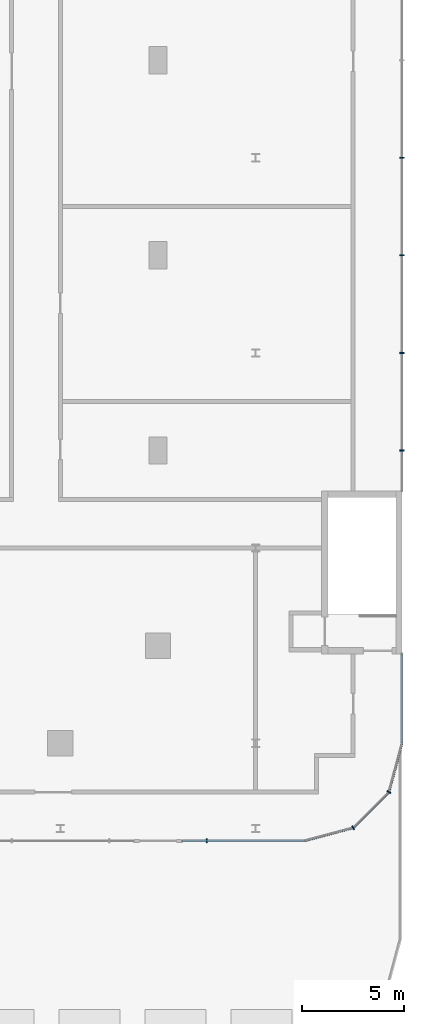
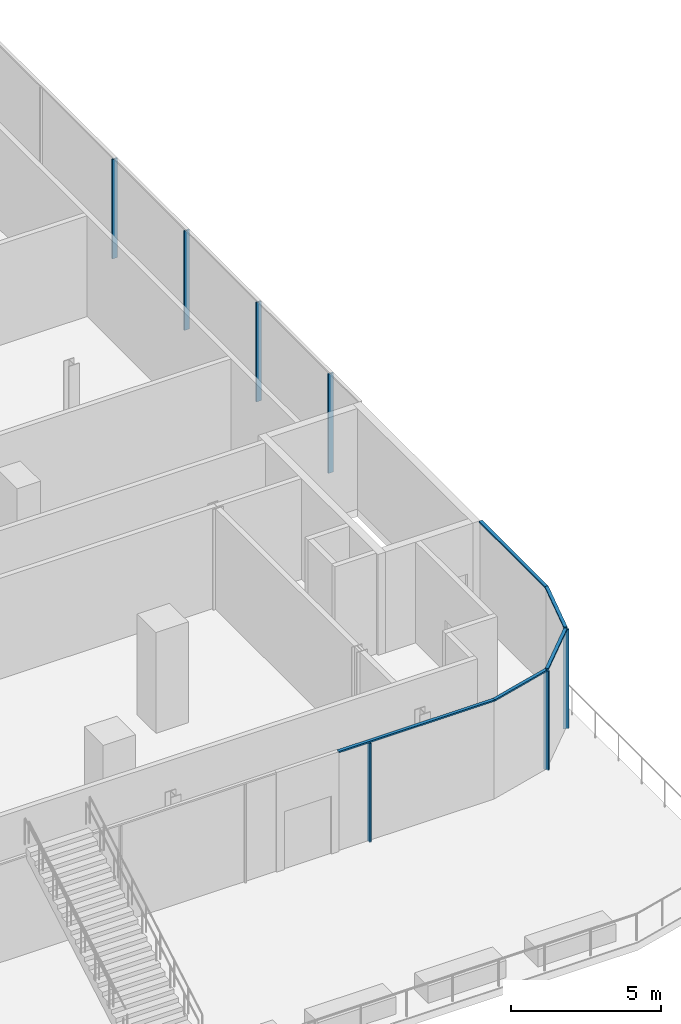
# One storey, part 12 of 32: 12 members, 3 elements without a shape of their own.
"""IFC4 building model written with IfcOpenShell, lengths in metres."""

from ifc_helpers import new_model, si_unit, direction, frame, origin, origin_2d, place, context, subcontext, project, spatial, rectangle, extrude, material, layer, layer_set, material_profile, profile_set, type_object, element, aggregate, save


model = new_model("IFC4")

# Units and contexts
model_context = context("Model", 3, precision=1e-05, world=origin(), true_north=direction((0.0, 1.0)))
body_context = subcontext(model_context, "Body", "Model", "MODEL_VIEW")
ifc_project = project(units=[si_unit("LENGTHUNIT", "METRE"), si_unit("AREAUNIT", "SQUARE_METRE"), si_unit("VOLUMEUNIT", "CUBIC_METRE"), si_unit("PLANEANGLEUNIT", "RADIAN"), si_unit("MASSUNIT", "GRAM", prefix="KILO")], contexts=[model_context])

# Site, building, storey
site_placement = place(None, origin())
site = spatial("IfcSite", under=ifc_project, at=site_placement, CompositionType="ELEMENT")
building_placement = place(site_placement, origin())
building = spatial("IfcBuilding", under=site, at=building_placement, Name="Madar Terraces", CompositionType="ELEMENT")
storey_placement = place(building_placement, frame((0.0, 0.0, 19.5)))
storey = spatial("IfcBuildingStorey", under=building, at=storey_placement, Name="L04", CompositionType="ELEMENT", Elevation=19.5)

# Curtain wall, member
ifc_material_1 = material(Name="Glass, clear low-iron, with black aluminium frame", Category="aluminium")
ifc_layer = layer(ifc_material_1, 0.199951171875)
ifc_layer_set = layer_set([ifc_layer], Name="Facade curtain wall, shopfront glazing")
curtain_wall_type = type_object("IfcCurtainWallType", Name="Facade curtain wall, shopfront glazing", PredefinedType="NOTDEFINED", material=ifc_layer_set)
curtain_wall_1_placement = place(storey_placement, origin())
curtain_wall_1 = element("IfcCurtainWall", 1, at=curtain_wall_1_placement, inside=storey, type_object=curtain_wall_type, Name="Outer skin curtain wall south bay 1", PredefinedType="NOTDEFINED")
ifc_material_2 = material(Name="Aluminium, black anodised", Category="aluminium")
ifc_material_profile_1 = material_profile(ifc_material_2, rectangle(XDim=0.199951171875, YDim=0.06005859375, at=origin_2d()), Name="Facade mullion 60x200")
ifc_profile_set_1 = profile_set([ifc_material_profile_1], Name="Aluminium, black anodised")
member_type_1 = type_object("IfcMemberType", Name="Facade mullion 60x200", PredefinedType="MULLION", material=ifc_profile_set_1)
member_1_placement = place(storey_placement, frame((60.0, -4.800048828125, 0.0), z_axis=(0.0, 0.0, 1.0), x_axis=(0.0, 1.0, 0.0)))
member_1 = element("IfcMember", 2, at=member_1_placement, type_object=member_type_1, Name="Mullion 13", PredefinedType="MULLION", context=body_context, shape_type="SweptSolid", body=[
    extrude(rectangle(XDim=0.199951171875, YDim=0.06005859375, at=origin_2d()), origin(), (0.0, 0.0, 1.0), 4.0400390625),
])

# Curtain wall, members
curtain_wall_2_placement = place(storey_placement, origin())
curtain_wall_2 = element("IfcCurtainWall", 3, at=curtain_wall_2_placement, inside=storey, type_object=curtain_wall_type, Name="Outer skin curtain wall east bay 1", PredefinedType="NOTDEFINED")
member_2_placement = place(storey_placement, frame((69.60009765625, 14.39990234375, 0.0), z_axis=(0.0, 0.0, 1.0), x_axis=(-1.0, 0.0, 0.0)))
member_2 = element("IfcMember", 4, at=member_2_placement, type_object=member_type_1, Name="Mullion 1", PredefinedType="MULLION", context=body_context, shape_type="SweptSolid", body=[
    extrude(rectangle(XDim=0.199951171875, YDim=0.06005859375, at=origin_2d()), origin(), (0.0, 0.0, 1.0), 4.0400390625),
])
member_3_placement = place(storey_placement, frame((69.60009765625, 19.199951171875, 0.0), z_axis=(0.0, 0.0, 1.0), x_axis=(-1.0, 0.0, 0.0)))
member_3 = element("IfcMember", 5, at=member_3_placement, type_object=member_type_1, Name="Mullion 2", PredefinedType="MULLION", context=body_context, shape_type="SweptSolid", body=[
    extrude(rectangle(XDim=0.199951171875, YDim=0.06005859375, at=origin_2d()), origin(), (0.0, 0.0, 1.0), 4.0400390625),
])
member_4_placement = place(storey_placement, frame((69.60009765625, 24.0, 0.0), z_axis=(0.0, 0.0, 1.0), x_axis=(-1.0, 0.0, 0.0)))
member_4 = element("IfcMember", 6, at=member_4_placement, type_object=member_type_1, Name="Mullion 3", PredefinedType="MULLION", context=body_context, shape_type="SweptSolid", body=[
    extrude(rectangle(XDim=0.199951171875, YDim=0.06005859375, at=origin_2d()), origin(), (0.0, 0.0, 1.0), 4.0400390625),
])
member_5_placement = place(storey_placement, frame((69.60009765625, 28.800048828125, 0.0), z_axis=(0.0, 0.0, 1.0), x_axis=(-1.0, 0.0, 0.0)))
member_5 = element("IfcMember", 7, at=member_5_placement, type_object=member_type_1, Name="Mullion 4", PredefinedType="MULLION", context=body_context, shape_type="SweptSolid", body=[
    extrude(rectangle(XDim=0.199951171875, YDim=0.06005859375, at=origin_2d()), origin(), (0.0, 0.0, 1.0), 4.0400390625),
])

curtain_wall_3_placement = place(storey_placement, origin())
curtain_wall_3 = element("IfcCurtainWall", 8, at=curtain_wall_3_placement, inside=storey, type_object=curtain_wall_type, Name="Outer skin curtain wall south-east corner", PredefinedType="NOTDEFINED")
member_6_placement = place(storey_placement, frame((67.199951171875, -4.156982421875, 0.0), z_axis=(0.0, 0.0, 1.0), x_axis=(-0.499999989586, 0.866025409797, 0.0)))
member_6 = element("IfcMember", 9, at=member_6_placement, type_object=member_type_1, Name="Mullion 1", PredefinedType="MULLION", context=body_context, shape_type="SweptSolid", body=[
    extrude(rectangle(XDim=0.199951171875, YDim=0.06005859375, at=origin_2d()), origin(), (0.0, 0.0, 1.0), 4.0400390625),
])
member_7_placement = place(storey_placement, frame((68.95703125, -2.39990234375, 0.0), z_axis=(0.0, 0.0, 1.0), x_axis=(-0.866025409797, 0.499999989586, 0.0)))
member_7 = element("IfcMember", 10, at=member_7_placement, type_object=member_type_1, Name="Mullion 2", PredefinedType="MULLION", context=body_context, shape_type="SweptSolid", body=[
    extrude(rectangle(XDim=0.199951171875, YDim=0.06005859375, at=origin_2d()), origin(), (0.0, 0.0, 1.0), 4.0400390625),
])

# Member
ifc_material_3 = material(Name="Aluminium, black anodised", Category="aluminium")
ifc_material_profile_2 = material_profile(ifc_material_3, rectangle(XDim=0.1201171875, YDim=0.06005859375, at=origin_2d()), Name="Facade transom 60x120")
ifc_profile_set_2 = profile_set([ifc_material_profile_2], Name="Aluminium, black anodised")
member_type_2 = type_object("IfcMemberType", Name="Facade transom 60x120", PredefinedType="USERDEFINED", material=ifc_profile_set_2)
member_8_placement = place(storey_placement, frame((58.800048828125, -4.800048828125, 4.070068359375), z_axis=(1.0, 0.0, 0.0), x_axis=(0.0, 1.0, 0.0)))
member_8 = element("IfcMember", 11, at=member_8_placement, type_object=member_type_2, Name="Transom 4", ObjectType="TRANSOM", PredefinedType="USERDEFINED", context=body_context, shape_type="SweptSolid", body=[
    extrude(rectangle(XDim=0.1201171875, YDim=0.06005859375, at=origin_2d()), origin(), (0.0, 0.0, 1.0), 6.0),
])

aggregate(curtain_wall_1, [member_1, member_8])

member_9_placement = place(storey_placement, frame((69.60009765625, 0.0, 4.070068359375), z_axis=(0.0, 1.0, 0.0), x_axis=(-1.0, 0.0, 0.0)))
member_9 = element("IfcMember", 12, at=member_9_placement, type_object=member_type_2, Name="Transom 1", ObjectType="TRANSOM", PredefinedType="USERDEFINED", context=body_context, shape_type="SweptSolid", body=[
    extrude(rectangle(XDim=0.1201171875, YDim=0.06005859375, at=origin_2d()), origin(), (0.0, 0.0, 1.0), 4.39990234375),
])

aggregate(curtain_wall_2, [member_9, member_2, member_3, member_4, member_5])

member_10_placement = place(storey_placement, frame((64.800048828125, -4.800048828125, 4.070068359375), z_axis=(0.965933846022, 0.258789113195, 0.0), x_axis=(-0.258789113195, 0.965933846022, 0.0)))
member_10 = element("IfcMember", 13, at=member_10_placement, type_object=member_type_2, Name="Transom 1", ObjectType="TRANSOM", PredefinedType="USERDEFINED", context=body_context, shape_type="SweptSolid", body=[
    extrude(rectangle(XDim=0.1201171875, YDim=0.06005859375, at=origin_2d()), origin(), (0.0, 0.0, 1.0), 2.454833984375),
])

member_11_placement = place(storey_placement, frame((67.22119140625, -4.1357421875, 4.070068359375), z_axis=(0.707106781187, 0.707106781187, 0.0), x_axis=(-0.707106781187, 0.707106781187, 0.0)))
member_11 = element("IfcMember", 14, at=member_11_placement, type_object=member_type_2, Name="Transom 2", ObjectType="TRANSOM", PredefinedType="USERDEFINED", context=body_context, shape_type="SweptSolid", body=[
    extrude(rectangle(XDim=0.1201171875, YDim=0.06005859375, at=origin_2d()), origin(), (0.0, 0.0, 1.0), 2.4248046875),
])

member_12_placement = place(storey_placement, frame((68.964599609375, -2.37109375, 4.070068359375), z_axis=(0.258881906514, 0.965908980432, 0.0), x_axis=(-0.965908980432, 0.258881906514, 0.0)))
member_12 = element("IfcMember", 15, at=member_12_placement, type_object=member_type_2, Name="Transom 3", ObjectType="TRANSOM", PredefinedType="USERDEFINED", context=body_context, shape_type="SweptSolid", body=[
    extrude(rectangle(XDim=0.1201171875, YDim=0.06005859375, at=origin_2d()), origin(), (0.0, 0.0, 1.0), 2.454833984375),
])

aggregate(curtain_wall_3, [member_6, member_10, member_7, member_11, member_12])

save(model, "model.ifc")
